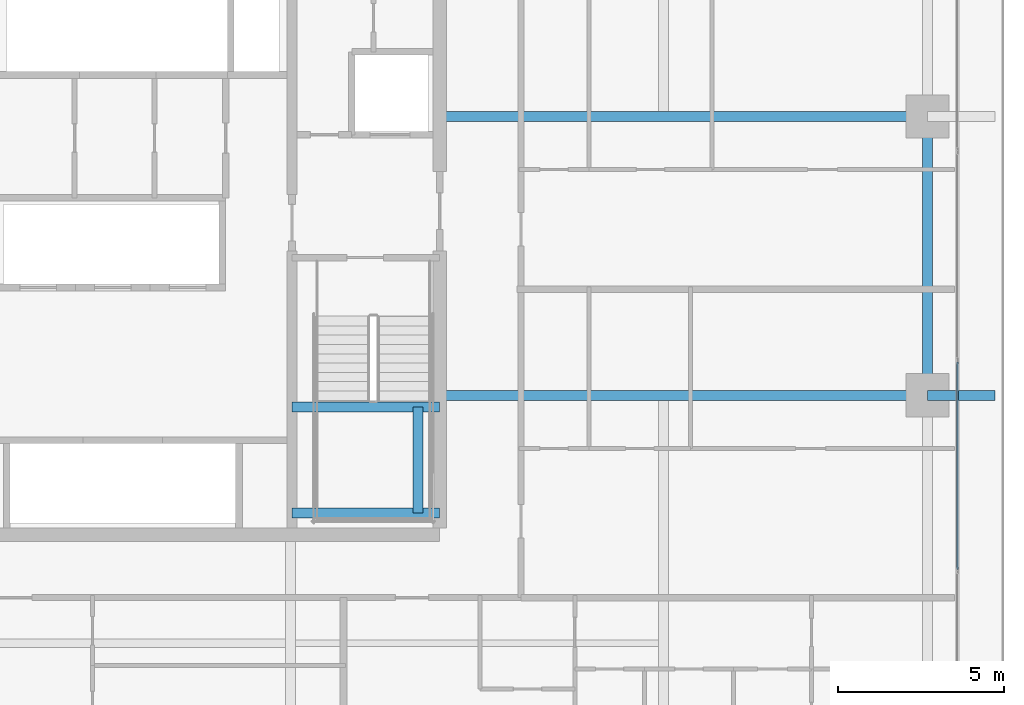
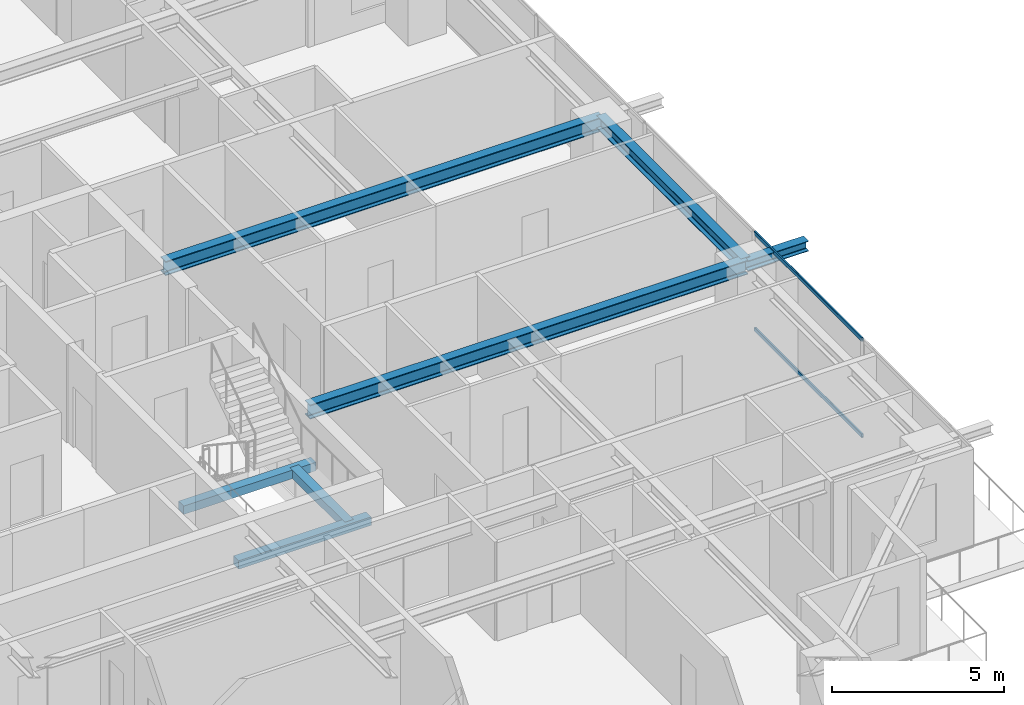
# One storey, part 15 of 38: 7 beams, 2 members, 1 element without a shape of its own.
"""IFC4 building model written with IfcOpenShell, lengths in metres."""

from ifc_helpers import new_model, si_unit, direction, frame, origin, origin_2d, place, context, subcontext, project, spatial, rectangle, hollow_rectangle, i_section, extrude, source, transform, mapped, material, layer, layer_set, material_profile, profile_set, type_object, element, aggregate, save


model = new_model("IFC4")

# Units and contexts
model_context = context("Model", 3, precision=1e-05, world=origin(), true_north=direction((0.0, 1.0)))
body_context = subcontext(model_context, "Body", "Model", "MODEL_VIEW")
ifc_project = project(units=[si_unit("LENGTHUNIT", "METRE"), si_unit("AREAUNIT", "SQUARE_METRE"), si_unit("VOLUMEUNIT", "CUBIC_METRE"), si_unit("PLANEANGLEUNIT", "RADIAN"), si_unit("MASSUNIT", "GRAM", prefix="KILO")], contexts=[model_context])

# Site, building, storey
site_placement = place(None, origin())
site = spatial("IfcSite", under=ifc_project, at=site_placement, CompositionType="ELEMENT")
building_placement = place(site_placement, origin())
building = spatial("IfcBuilding", under=site, at=building_placement, Name="Serunith Strait Residences", CompositionType="ELEMENT")
storey_placement = place(building_placement, frame((0.0, 0.0, 120.14990234375)))
storey = spatial("IfcBuildingStorey", under=building, at=storey_placement, Name="L29", CompositionType="ELEMENT", Elevation=120.14990234375)

# Beams
ifc_material_1 = material(Name="Steel S355J2", Category="steel")
ifc_material_profile_1 = material_profile(ifc_material_1, i_section(OverallWidth=0.300048828125, OverallDepth=0.449951171875, WebThickness=0.013916015625, FlangeThickness=0.02587890625, FilletRadius=0.027099609375, at=origin_2d()), Name="HEB 450")
ifc_profile_set_1 = profile_set([ifc_material_profile_1], Name="Steel S355J2")
beam_type_1 = type_object("IfcBeamType", Name="BM-HEB450", PredefinedType="BEAM", material=ifc_profile_set_1)
shared_shape_1 = source(origin(), body_context, "Body", "SweptSolid", [
    extrude(i_section(OverallWidth=0.300048828125, OverallDepth=0.449951171875, WebThickness=0.013916015625, FlangeThickness=0.02587890625, FilletRadius=0.027099609375, at=origin_2d()), origin(), (0.0, 0.0, 1.0), 8.39990234375),
])
beam_1_placement = place(storey_placement, frame((56.10009765625, 21.0, 3.26220703125), z_axis=(0.0, 1.0, 0.0), x_axis=(-1.0, 0.0, 0.0)))
element("IfcBeam", 1, at=beam_1_placement, inside=storey, type_object=beam_type_1, Name="L29 Perimeter Ring Beam 06", PredefinedType="BEAM", context=body_context, shape_type="MappedRepresentation", body=[
    mapped(shared_shape_1, transform((0.0, 0.0, 0.0), scale=1.0)),
])
ifc_material_profile_2 = material_profile(ifc_material_1, i_section(OverallWidth=0.300048828125, OverallDepth=0.5, WebThickness=0.014404296875, FlangeThickness=0.028076171875, FilletRadius=0.027099609375, at=origin_2d()), Name="HEB 500")
ifc_profile_set_2 = profile_set([ifc_material_profile_2], Name="Steel S355J2")
beam_type_2 = type_object("IfcBeamType", Name="BM-HEB500", PredefinedType="BEAM", material=ifc_profile_set_2)
shared_shape_2 = source(origin(), body_context, "Body", "SweptSolid", [
    extrude(i_section(OverallWidth=0.300048828125, OverallDepth=0.5, WebThickness=0.014404296875, FlangeThickness=0.028076171875, FilletRadius=0.027099609375, at=origin_2d()), origin(), (0.0, 0.0, 1.0), 14.7001953125),
])
for number, where, z_axis, x_axis, name in (
    (2, (41.39990234375, 21.0, 3.237060546875), (1.0, 0.0, 0.0), (0.0, 1.0, 0.0), "L29 Primary Floor Girder TC-E2"),
    (3, (41.39990234375, 29.39990234375, 3.237060546875), (1.0, 0.0, 0.0), (0.0, 1.0, 0.0), "L29 Primary Floor Girder TC-E3"),
):
    element("IfcBeam", number, at=place(storey_placement, frame(where, z_axis=z_axis, x_axis=x_axis)), inside=storey, type_object=beam_type_2, Name=name, PredefinedType="BEAM", context=body_context, shape_type="MappedRepresentation", body=[
        mapped(shared_shape_2, transform((0.0, 0.0, 0.0), scale=1.0)),
    ])
ifc_material_profile_3 = material_profile(ifc_material_1, i_section(OverallWidth=0.300048828125, OverallDepth=0.360107421875, WebThickness=0.012451171875, FlangeThickness=0.0224609375, FilletRadius=0.027099609375, at=origin_2d()), Name="HEB 360")
ifc_profile_set_3 = profile_set([ifc_material_profile_3], Name="Steel S355J2")
beam_type_3 = type_object("IfcBeamType", Name="BM-HEB360", PredefinedType="BEAM", material=ifc_profile_set_3)
shared_shape_3 = source(origin(), body_context, "Body", "SweptSolid", [
    extrude(i_section(OverallWidth=0.300048828125, OverallDepth=0.360107421875, WebThickness=0.012451171875, FlangeThickness=0.0224609375, FilletRadius=0.027099609375, at=origin_2d()), origin(), (0.0, 0.0, 1.0), 2.02978515625),
])
beam_2_placement = place(storey_placement, frame((56.10009765625, 21.0, 3.277099609375), z_axis=(1.0, 0.0, 0.0), x_axis=(0.0, 1.0, 0.0)))
element("IfcBeam", 4, at=beam_2_placement, inside=storey, type_object=beam_type_3, Name="L30 Cantilevered Balcony Rib TC-E2", PredefinedType="BEAM", context=body_context, shape_type="MappedRepresentation", body=[
    mapped(shared_shape_3, transform((0.0, 0.0, 0.0), scale=1.0)),
])
ifc_material_2 = material(Name="Concrete C60/75", Category="concrete")
ifc_material_profile_4 = material_profile(ifc_material_2, rectangle(XDim=0.300048828125, YDim=0.300048828125, at=origin_2d()), Name="RC 300x300")
ifc_profile_set_4 = profile_set([ifc_material_profile_4], Name="Concrete C60/75")
beam_type_4 = type_object("IfcBeamType", Name="BM-LAND-300x300", PredefinedType="BEAM", material=ifc_profile_set_4)
shared_shape_4 = source(origin(), body_context, "Body", "SweptSolid", [
    extrude(rectangle(XDim=0.300048828125, YDim=0.300048828125, at=origin_2d()), origin(), (0.0, 0.0, 1.0), 3.199951171875),
])
beam_3_placement = place(storey_placement, frame((40.75, 17.449951171875, 1.525146484375), z_axis=(0.0, 1.0, 0.0), x_axis=(-1.0, 0.0, 0.0)))
element("IfcBeam", 5, at=beam_3_placement, inside=storey, type_object=beam_type_4, Name="L29 ST-2 Landing Transverse Tie Beam", PredefinedType="BEAM", context=body_context, shape_type="MappedRepresentation", body=[
    mapped(shared_shape_4, transform((0.0, 0.0, 0.0), scale=1.0)),
])
shared_shape_5 = source(origin(), body_context, "Body", "SweptSolid", [
    extrude(rectangle(XDim=0.300048828125, YDim=0.300048828125, at=origin_2d()), origin(), (0.0, 0.0, 1.0), 4.449951171875),
])
for number, where, z_axis, x_axis, name in (
    (6, (36.949951171875, 17.449951171875, 1.525146484375), (1.0, 0.0, 0.0), (0.0, 1.0, 0.0), "L29 ST-2 Landing Support Beam 1"),
    (7, (36.949951171875, 20.64990234375, 1.525146484375), (1.0, 0.0, 0.0), (0.0, 1.0, 0.0), "L29 ST-2 Landing Support Beam 2"),
):
    element("IfcBeam", number, at=place(storey_placement, frame(where, z_axis=z_axis, x_axis=x_axis)), inside=storey, type_object=beam_type_4, Name=name, PredefinedType="BEAM", context=body_context, shape_type="MappedRepresentation", body=[
        mapped(shared_shape_5, transform((0.0, 0.0, 0.0), scale=1.0)),
    ])

# Curtain wall, members
ifc_material_3 = material(Name="Pale-Champagne Anodised Aluminium", Category="aluminium")
ifc_layer = layer(ifc_material_3, 0.199951171875, Name="Pale-Champagne Anodised Aluminium")
ifc_layer_set = layer_set([ifc_layer], Name="Pale-Champagne Anodised Aluminium")
curtain_wall_type = type_object("IfcCurtainWallType", Name="CW-SYS2", PredefinedType="NOTDEFINED", material=ifc_layer_set)
curtain_wall_placement = place(storey_placement, origin())
curtain_wall = element("IfcCurtainWall", 8, at=curtain_wall_placement, inside=storey, type_object=curtain_wall_type, Name="L29 E Unitised Fritted Curtain Wall", PredefinedType="NOTDEFINED")
ifc_material_profile_5 = material_profile(ifc_material_3, hollow_rectangle(XDim=0.06005859375, YDim=0.139892578125, WallThickness=0.00341796875, InnerFilletRadius=0.00537109375, OuterFilletRadius=0.0087890625, at=origin_2d()), Name="ALU 140x60x3.5")
ifc_profile_set_5 = profile_set([ifc_material_profile_5], Name="Pale-Champagne Anodised Aluminium")
member_type = type_object("IfcMemberType", Name="CW-SYS2-TRAN", PredefinedType="USERDEFINED", material=ifc_profile_set_5)
shared_shape_6 = source(origin(), body_context, "Body", "SweptSolid", [
    extrude(hollow_rectangle(XDim=0.06005859375, YDim=0.139892578125, WallThickness=0.00341796875, InnerFilletRadius=0.00537109375, OuterFilletRadius=0.0087890625, at=origin_2d()), origin(), (0.0, 0.0, 1.0), 6.25),
])
member_1_placement = place(storey_placement, frame((57.0, 15.7548828125, 0.030029296875), z_axis=(0.0, 1.0, 0.0), x_axis=(-1.0, 0.0, 0.0)))
member_1 = element("IfcMember", 9, at=member_1_placement, type_object=member_type, Name="CW-2 transom 2.1", ObjectType="TRANSOM", PredefinedType="USERDEFINED", context=body_context, shape_type="MappedRepresentation", body=[
    mapped(shared_shape_6, transform((0.0, 0.0, 0.0), scale=1.0)),
])
member_2_placement = place(storey_placement, frame((57.0, 15.7548828125, 3.445068359375), z_axis=(0.0, 1.0, 0.0), x_axis=(-1.0, 0.0, 0.0)))
member_2 = element("IfcMember", 10, at=member_2_placement, type_object=member_type, Name="CW-2 transom 2.2", ObjectType="TRANSOM", PredefinedType="USERDEFINED", context=body_context, shape_type="MappedRepresentation", body=[
    mapped(shared_shape_6, transform((0.0, 0.0, 0.0), scale=1.0)),
])
aggregate(curtain_wall, [member_1, member_2])

save(model, "model.ifc")
